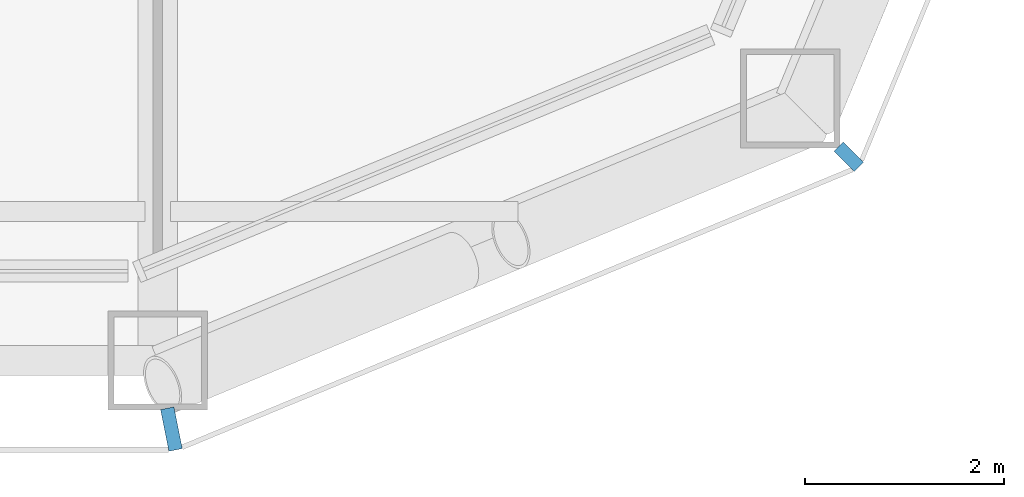
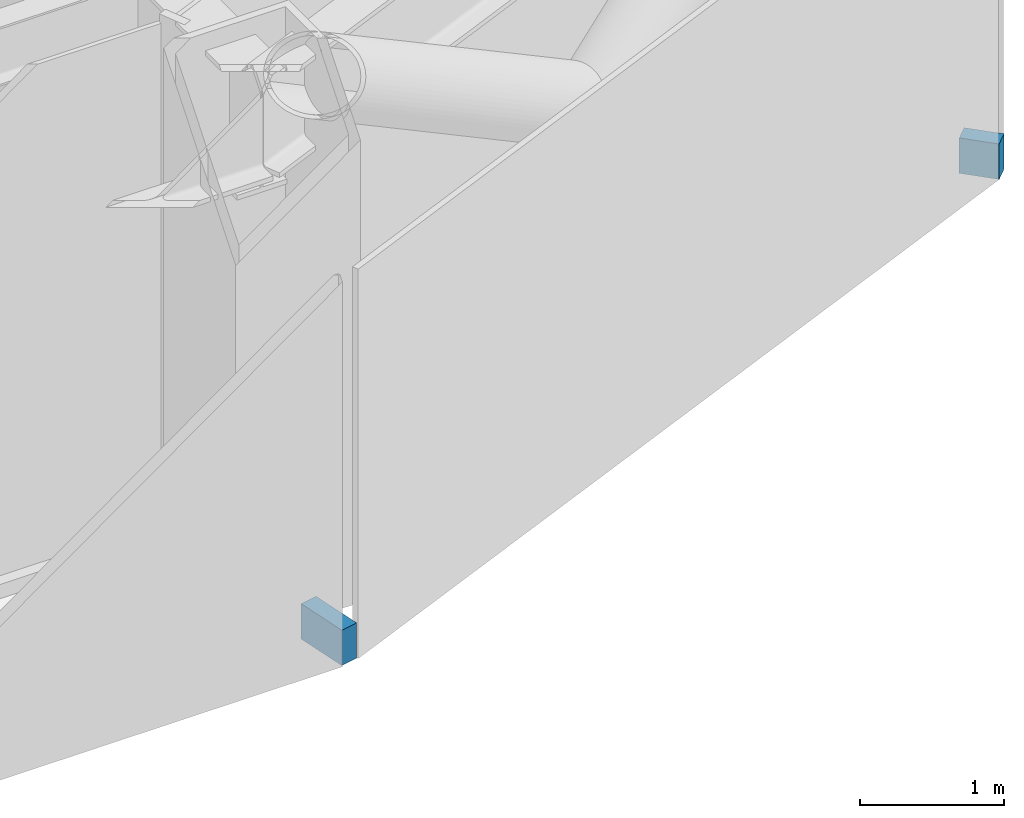
# One storey, part 18 of 30: 2 discrete accessories.
"""IFC4 building model written with IfcOpenShell, lengths in metres."""

import ifcopenshell
import ifcopenshell.guid

model = None  # the IFC model being written
_history = None  # IfcOwnerHistory: only IFC2X3 demands one
_inside = {}  # id of a spatial element -> (the spatial element, [elements in it])
_under = {}  # id of a project, library or spatial element -> (it, [spatial elements below it])
_declared = {}  # id of a project -> (the project, [libraries it declares])
_typed = {}  # id of a type object -> (the type object, [elements of that type])
_made_of = {}  # id of a material, layer set ... -> (it, [elements and type objects made of it])


def new_model(schema):
    """Start an empty IFC model of exactly this schema.

    Asked for "IFC4X3", IfcOpenShell would pick the latest addendum, in which some entities
    have other attributes; the version numbers below select the first issue.
    IFC2X3 requires an IfcOwnerHistory on every rooted entity: one is made here for all.
    """
    global model, _history
    if schema == "IFC4X3":
        model = ifcopenshell.file(schema_version=(4, 3, 0, 0))
    else:
        model = ifcopenshell.file(schema=schema)
    _inside.clear()
    _under.clear()
    _declared.clear()
    _typed.clear()
    _made_of.clear()
    _history = None
    if model.schema == "IFC2X3":
        org = make("IfcOrganization", Name="unknown")
        user = make(
            "IfcPersonAndOrganization",
            ThePerson=make("IfcPerson", FamilyName="unknown"),
            TheOrganization=org,
        )
        app = make(
            "IfcApplication",
            ApplicationDeveloper=org,
            Version="unknown",
            ApplicationFullName="unknown",
            ApplicationIdentifier="unknown",
        )
        _history = make(
            "IfcOwnerHistory",
            OwningUser=user,
            OwningApplication=app,
            ChangeAction="ADDED",
            CreationDate=0,
        )
    return model


def make(cls, **values):
    """One entity of the class cls with the attributes given. An attribute that is None is left unset."""
    return model.create_entity(
        cls, **{name: value for name, value in values.items() if value is not None}
    )


def rooted(cls, **values):
    """An entity with a GlobalId (a new one), such as an element, a storey or a relation."""
    return make(cls, GlobalId=ifcopenshell.guid.new(), OwnerHistory=_history, **values)


def si_unit(unit_type, name, prefix=None):
    """IfcSIUnit, for example si_unit("LENGTHUNIT", "METRE", prefix="MILLI")."""
    return make("IfcSIUnit", UnitType=unit_type, Prefix=prefix, Name=name)


def assignment(units):
    """IfcUnitAssignment: the units of a project."""
    return None if units is None else make("IfcUnitAssignment", Units=units)


def point(xyz):
    """IfcCartesianPoint."""
    return None if xyz is None else make("IfcCartesianPoint", Coordinates=xyz)


def direction(xyz):
    """IfcDirection."""
    return None if xyz is None else make("IfcDirection", DirectionRatios=xyz)


def frame(location, z_axis=None, x_axis=None):
    """IfcAxis2Placement3D, a coordinate frame: its origin and axes. An axis left out is left unset."""
    return make(
        "IfcAxis2Placement3D",
        Location=point(location),
        Axis=direction(z_axis),
        RefDirection=direction(x_axis),
    )


def frame_2d(location, x_axis=None):
    """IfcAxis2Placement2D, a coordinate frame in the plane: its origin and x axis."""
    return make(
        "IfcAxis2Placement2D", Location=point(location), RefDirection=direction(x_axis)
    )


def origin():
    """The frame at (0, 0, 0) with its axes left unset."""
    return frame((0.0, 0.0, 0.0))


def origin_2d():
    """The frame at (0, 0) in the plane with its x axis left unset."""
    return frame_2d((0.0, 0.0))


def place(relative_to, where):
    """IfcLocalPlacement: puts the frame where relative to a parent placement (None: the world)."""
    return make(
        "IfcLocalPlacement", PlacementRelTo=relative_to, RelativePlacement=where
    )


def context(
    kind, dimensions, precision=None, world=None, true_north=None, identifier=None
):
    """IfcGeometricRepresentationContext, for example the 3D "Model" context."""
    return make(
        "IfcGeometricRepresentationContext",
        ContextIdentifier=identifier,
        ContextType=kind,
        CoordinateSpaceDimension=dimensions,
        Precision=precision,
        WorldCoordinateSystem=world,
        TrueNorth=true_north,
    )


def subcontext(parent, identifier, kind, view, scale=None):
    """IfcGeometricRepresentationSubContext, for example "Body" below "Model"."""
    return make(
        "IfcGeometricRepresentationSubContext",
        ContextIdentifier=identifier,
        ContextType=kind,
        ParentContext=parent,
        TargetScale=scale,
        TargetView=view,
    )


def project(units=None, contexts=None):
    """IfcProject with its units and contexts."""
    return rooted(
        "IfcProject",
        Name="project",
        RepresentationContexts=contexts,
        UnitsInContext=assignment(units),
    )


def spatial(cls, under=None, at=None, **own):
    """A site, building, storey or space (cls), placed at a placement, below another one or the project."""
    s = rooted(cls, ObjectPlacement=at, **own)
    if under is not None:
        _under.setdefault(under.id(), (under, []))[1].append(s)
    return s


def profile(cls, at=None, kind="AREA", **sizes):
    """A parametric profile (cls). Its sizes go by their IFC names, for example OverallWidth=200.0."""
    return make(cls, ProfileType=kind, Position=at, **sizes)


def rectangle(**sizes):
    """IfcRectangleProfileDef."""
    return profile("IfcRectangleProfileDef", **sizes)


def extrude(swept, where, along, depth):
    """IfcExtrudedAreaSolid: the profile swept, set in the frame where, extruded along a direction by depth."""
    return make(
        "IfcExtrudedAreaSolid",
        SweptArea=swept,
        Position=where,
        ExtrudedDirection=direction(along),
        Depth=depth,
    )


def shape(context_of_items, identifier, shape_type, items):
    """IfcShapeRepresentation: the items that make up one representation, for example the "Body"."""
    return make(
        "IfcShapeRepresentation",
        ContextOfItems=context_of_items,
        RepresentationIdentifier=identifier,
        RepresentationType=shape_type,
        Items=items,
    )


def material(Name=None, Category=None):
    """IfcMaterial."""
    return make("IfcMaterial", Name=Name, Category=Category)


def made_of(thing, what):
    """Note that an element or type object is made of a material, layer set ...; save() writes the relation."""
    if what is not None:
        _made_of.setdefault(what.id(), (what, []))[1].append(thing)
    return thing


def type_object(cls, material=None, **own):
    """A type object (cls), such as IfcWallType, which elements share."""
    return made_of(rooted(cls, **own), material)


def element(
    cls,
    number,
    at=None,
    inside=None,
    cuts=None,
    type_object=None,
    material=None,
    context=None,
    identifier="Body",
    shape_type=None,
    held_by="IfcProductDefinitionShape",
    body=None,
    shapes=None,
    **own,
):
    """One element of the class cls, such as IfcWall. Its Tag is "e" and its number.

    at: its placement. inside: the storey or other place that contains it. cuts: it is an
    opening in that element (IfcRelVoidsElement). A single representation is given by context,
    identifier, shape_type and body (its items); several are given by shapes. held_by: the class
    of the entity that holds the representations. save() writes the other relations.
    """
    e = rooted(cls, Tag="e%d" % number, ObjectPlacement=at, **own)
    if body is not None:
        shapes = [shape(context, identifier, shape_type, body)]
    if shapes is not None:
        e.Representation = make(held_by, Representations=shapes)
    if inside is not None:
        _inside.setdefault(inside.id(), (inside, []))[1].append(e)
    if cuts is not None:
        rooted(
            "IfcRelVoidsElement", RelatingBuildingElement=cuts, RelatedOpeningElement=e
        )
    if type_object is not None:
        _typed.setdefault(type_object.id(), (type_object, []))[1].append(e)
    return made_of(e, material)


def aggregate(whole, parts):
    """IfcRelAggregates: a whole, such as a stair, and the parts it consists of."""
    return rooted("IfcRelAggregates", RelatingObject=whole, RelatedObjects=parts)


def save(model, path):
    """Write the relations noted so far, then the file.

    IfcRelAggregates (storeys below a building ...), IfcRelContainedInSpatialStructure (elements
    in a storey), IfcRelDefinesByType, IfcRelAssociatesMaterial and IfcRelDeclares: one each for
    every whole, place, type object, material and project.
    """
    for whole, parts in _under.values():
        aggregate(whole, parts)
    for where, things in _inside.values():
        rooted(
            "IfcRelContainedInSpatialStructure",
            RelatedElements=things,
            RelatingStructure=where,
        )
    for kind, things in _typed.values():
        rooted("IfcRelDefinesByType", RelatedObjects=things, RelatingType=kind)
    for what, things in _made_of.values():
        rooted("IfcRelAssociatesMaterial", RelatedObjects=things, RelatingMaterial=what)
    for by, libraries in _declared.values():
        rooted("IfcRelDeclares", RelatingContext=by, RelatedDefinitions=libraries)
    model.write(path)


model = new_model("IFC4")

# Units and contexts
model_context = context("Model", 3, precision=1e-05, world=origin(), true_north=direction((0.0, 1.0)))
body_context = subcontext(model_context, "Body", "Model", "MODEL_VIEW")
ifc_project = project(units=[si_unit("LENGTHUNIT", "METRE"), si_unit("AREAUNIT", "SQUARE_METRE"), si_unit("VOLUMEUNIT", "CUBIC_METRE"), si_unit("PLANEANGLEUNIT", "RADIAN"), si_unit("MASSUNIT", "GRAM", prefix="KILO")], contexts=[model_context])

# Site, building, storey
site_placement = place(None, origin())
site = spatial("IfcSite", under=ifc_project, at=site_placement, CompositionType="ELEMENT")
building_placement = place(site_placement, origin())
building = spatial("IfcBuilding", under=site, at=building_placement, Name="Siwar Civic Tower", CompositionType="ELEMENT")
storey_placement = place(building_placement, frame((0.0, 0.0, 62.699951171875)))
storey = spatial("IfcBuildingStorey", under=building, at=storey_placement, Name="L13", CompositionType="ELEMENT", Elevation=62.699951171875)

# Discrete accessories
ifc_material = material(Name="Stainless steel 316", Category="steel")
discrete_accessory_type = type_object("IfcDiscreteAccessoryType", Name="ENV-BRACKET", PredefinedType="BRACKET", material=ifc_material)
discrete_accessory_1_placement = place(storey_placement, frame((22.63720703125, -32.190185546875, -0.14990234375), z_axis=(0.0, 0.0, 1.0), x_axis=(0.195090322016, -0.980785280403, 0.0)))
element("IfcDiscreteAccessory", 1, at=discrete_accessory_1_placement, inside=storey, type_object=discrete_accessory_type, Name="Bracket outer skin joint V01", PredefinedType="BRACKET", context=body_context, shape_type="SweptSolid", body=[
    extrude(rectangle(XDim=0.427734375, YDim=0.13720703125, at=origin_2d()), origin(), (0.0, 0.0, 1.0), 0.300048828125),
])
discrete_accessory_2_placement = place(storey_placement, frame((29.451416015625, -29.451416015625, -0.14990234375), z_axis=(0.0, 0.0, 1.0), x_axis=(0.707106781187, -0.707106781187, 0.0)))
element("IfcDiscreteAccessory", 2, at=discrete_accessory_2_placement, inside=storey, type_object=discrete_accessory_type, Name="Bracket outer skin joint V02", PredefinedType="BRACKET", context=body_context, shape_type="SweptSolid", body=[
    extrude(rectangle(XDim=0.287109375, YDim=0.12939453125, at=origin_2d()), origin(), (0.0, 0.0, 1.0), 0.300048828125),
])

save(model, "model.ifc")
